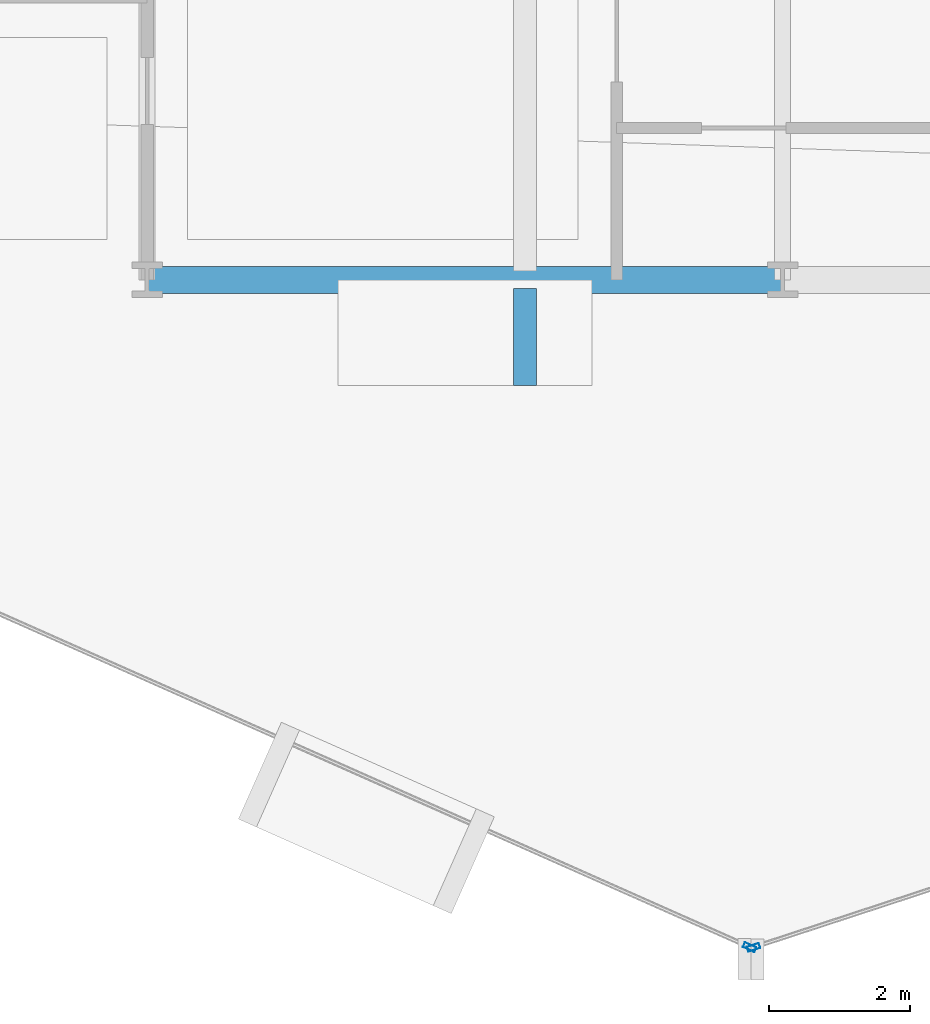
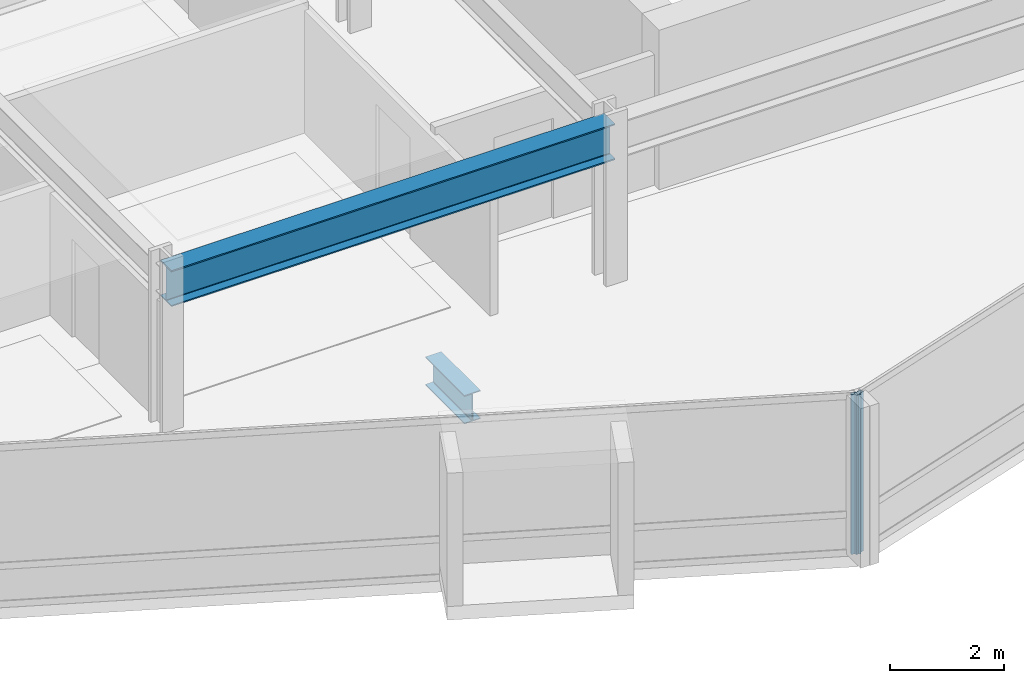
# One storey, part 4 of 34: 2 beams, 2 members, 2 elements without a shape of their own.
"""IFC4 building model written with IfcOpenShell, lengths in metres."""

from ifc_helpers import new_model, si_unit, direction, frame, origin, origin_2d, place, context, subcontext, project, spatial, hollow_rectangle, i_section, extrude, material, layer, layer_set, material_profile, profile_set, type_object, element, aggregate, save


model = new_model("IFC4")

# Units and contexts
model_context = context("Model", 3, precision=1e-05, world=origin(), true_north=direction((0.0, 1.0)))
body_context = subcontext(model_context, "Body", "Model", "MODEL_VIEW")
ifc_project = project(units=[si_unit("LENGTHUNIT", "METRE"), si_unit("AREAUNIT", "SQUARE_METRE"), si_unit("VOLUMEUNIT", "CUBIC_METRE"), si_unit("PLANEANGLEUNIT", "RADIAN"), si_unit("MASSUNIT", "GRAM", prefix="KILO")], contexts=[model_context])

# Site, building, storey
site_placement = place(None, origin())
site = spatial("IfcSite", under=ifc_project, at=site_placement, CompositionType="ELEMENT")
building_placement = place(site_placement, origin())
building = spatial("IfcBuilding", under=site, at=building_placement, Name="Solvaryn Broadcast Tower", CompositionType="ELEMENT")
storey_placement = place(building_placement, frame((0.0, 0.0, 58.199951171875)))
storey = spatial("IfcBuildingStorey", under=building, at=storey_placement, Name="L13", CompositionType="ELEMENT", Elevation=58.199951171875)

# Beams
ifc_material_1 = material(Name="Steel ASTM A992 Grade 50", Category="steel")
ifc_material_profile_1 = material_profile(ifc_material_1, i_section(OverallWidth=0.323974609375, OverallDepth=0.611083984375, WebThickness=0.0126953125, FlangeThickness=0.01904296875, FilletRadius=0.014892578125, at=origin_2d()))
ifc_profile_set_1 = profile_set([ifc_material_profile_1], Name="Steel ASTM A992 Grade 50")
beam_type_1 = type_object("IfcBeamType", Name="BM-CANT-TER", PredefinedType="BEAM", material=ifc_profile_set_1)
beam_1_placement = place(storey_placement, frame((23.35009765625, 8.875, -0.58544921875), z_axis=(0.0, -1.0, 0.0), x_axis=(1.0, 0.0, 0.0)))
element("IfcBeam", 1, at=beam_1_placement, inside=storey, type_object=beam_type_1, Name="L13 Bay-Box Cantilever Bracket 1", PredefinedType="BEAM", context=body_context, shape_type="SweptSolid", body=[
    extrude(i_section(OverallWidth=0.323974609375, OverallDepth=0.611083984375, WebThickness=0.0126953125, FlangeThickness=0.01904296875, FilletRadius=0.014892578125, at=origin_2d()), origin(), (0.0, 0.0, 1.0), 1.375),
])
ifc_material_2 = material(Name="Steel ASTM A992 Grade 50", Category="steel")
ifc_material_profile_2 = material_profile(ifc_material_2, i_section(OverallWidth=0.381103515625, OverallDepth=0.77294921875, WebThickness=0.0166015625, FlangeThickness=0.027099609375, FilletRadius=0.01806640625, at=origin_2d()))
ifc_profile_set_2 = profile_set([ifc_material_profile_2], Name="Steel ASTM A992 Grade 50")
beam_type_2 = type_object("IfcBeamType", Name="BM-SP1-W30X173", PredefinedType="USERDEFINED", material=ifc_profile_set_2)
beam_2_placement = place(storey_placement, frame((18.0, 9.0, 3.033447265625), z_axis=(1.0, 0.0, 0.0), x_axis=(0.0, 1.0, 0.0)))
element("IfcBeam", 2, at=beam_2_placement, inside=storey, type_object=beam_type_2, Name="L13 Spandrel Beam X (18-27 @ Y=9)", ObjectType="SPANDREL", PredefinedType="USERDEFINED", context=body_context, shape_type="SweptSolid", body=[
    extrude(i_section(OverallWidth=0.381103515625, OverallDepth=0.77294921875, WebThickness=0.0166015625, FlangeThickness=0.027099609375, FilletRadius=0.01806640625, at=origin_2d()), origin(), (0.0, 0.0, 1.0), 9.0),
])

# Curtain wall, member
ifc_material_3 = material(Name="Aluminium and Terracotta Unitised Curtain Wall", Category="masonry")
ifc_layer = layer(ifc_material_3, 0.199951171875)
ifc_layer_set = layer_set([ifc_layer], Name="CW-SYS2-LOWMID")
curtain_wall_type = type_object("IfcCurtainWallType", Name="CW-SYS2-LOWMID", PredefinedType="NOTDEFINED", material=ifc_layer_set)
curtain_wall_1_placement = place(storey_placement, origin())
curtain_wall_1 = element("IfcCurtainWall", 3, at=curtain_wall_1_placement, inside=storey, type_object=curtain_wall_type, Name="L13 Curtain Wall DR3", PredefinedType="NOTDEFINED")
ifc_material_4 = material(Name="Anodised Aluminium 6063-T6", Category="aluminium")
ifc_material_profile_3 = material_profile(ifc_material_4, hollow_rectangle(XDim=0.074951171875, YDim=0.179931640625, WallThickness=0.00390625, InnerFilletRadius=0.00390625, OuterFilletRadius=0.008056640625, at=origin_2d()))
ifc_profile_set_3 = profile_set([ifc_material_profile_3], Name="Anodised Aluminium 6063-T6")
member_type = type_object("IfcMemberType", Name="CW-MUL-180", PredefinedType="MULLION", material=ifc_profile_set_3)
member_1_placement = place(storey_placement, frame((26.532470703125, -0.451904296875, 0.0), z_axis=(0.0, 0.0, 1.0), x_axis=(0.405898286554, 0.913918257271, 0.0)))
member_1 = element("IfcMember", 4, at=member_1_placement, type_object=member_type, Name="CWS2 mullion 2", PredefinedType="MULLION", context=body_context, shape_type="SweptSolid", body=[
    extrude(hollow_rectangle(XDim=0.074951171875, YDim=0.179931640625, WallThickness=0.00390625, InnerFilletRadius=0.00390625, OuterFilletRadius=0.008056640625, at=origin_2d()), origin(), (0.0, 0.0, 1.0), 3.420166015625),
])
aggregate(curtain_wall_1, [member_1])

curtain_wall_2_placement = place(storey_placement, origin())
curtain_wall_2 = element("IfcCurtainWall", 5, at=curtain_wall_2_placement, inside=storey, type_object=curtain_wall_type, Name="L13 Curtain Wall DR4", PredefinedType="NOTDEFINED")
member_2_placement = place(storey_placement, frame((26.588623046875, -0.45458984375, 0.0), z_axis=(0.0, 0.0, 1.0), x_axis=(-0.311594044587, 0.950215318429, 0.0)))
member_2 = element("IfcMember", 6, at=member_2_placement, type_object=member_type, Name="CWS2 mullion 1", PredefinedType="MULLION", context=body_context, shape_type="SweptSolid", body=[
    extrude(hollow_rectangle(XDim=0.074951171875, YDim=0.179931640625, WallThickness=0.00390625, InnerFilletRadius=0.00390625, OuterFilletRadius=0.008056640625, at=origin_2d()), origin(), (0.0, 0.0, 1.0), 3.420166015625),
])
aggregate(curtain_wall_2, [member_2])

save(model, "model.ifc")
